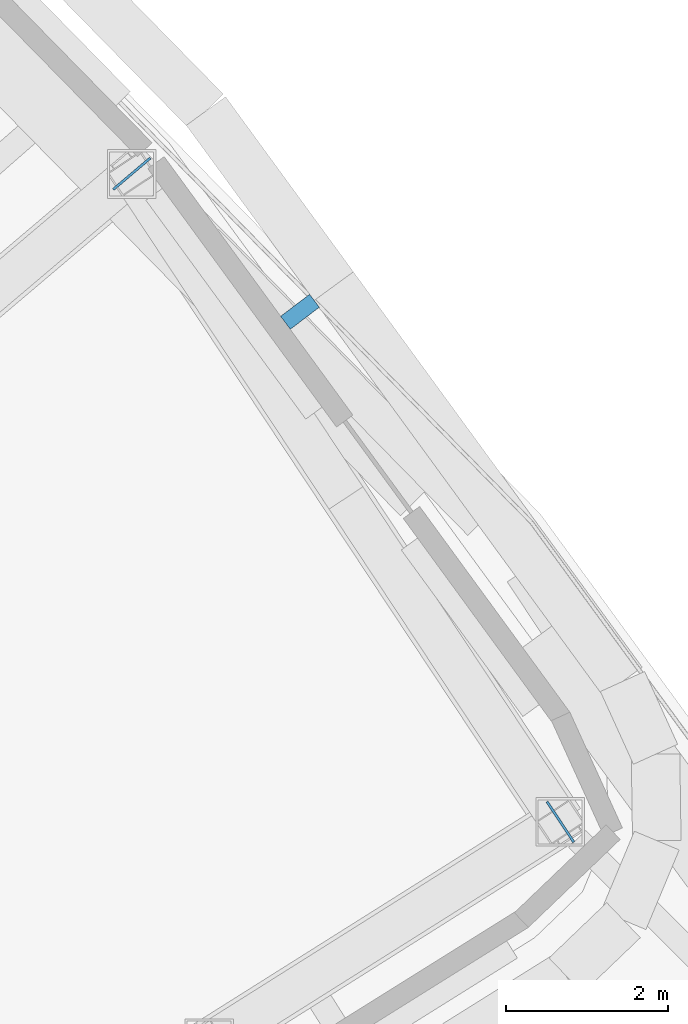
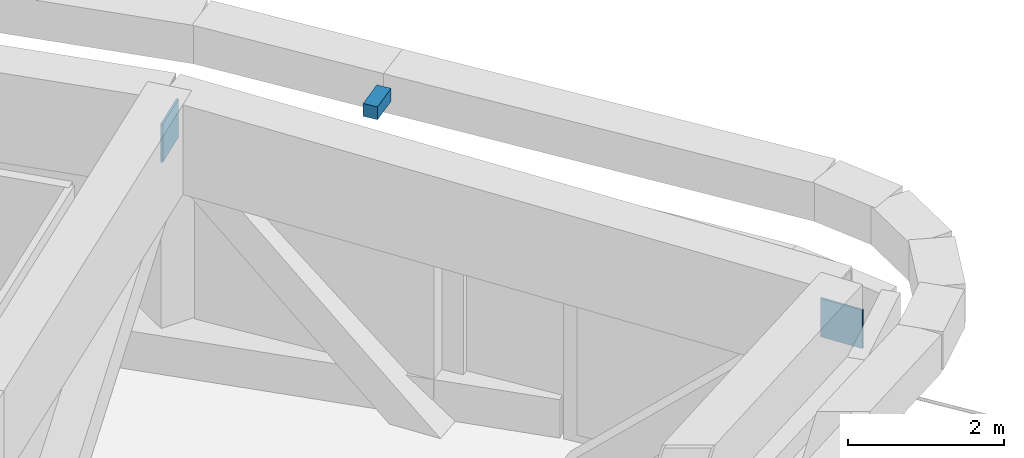
# One storey, part 17 of 24: 3 discrete accessories.
"""IFC4 building model written with IfcOpenShell, lengths in metres."""

from ifc_helpers import new_model, si_unit, direction, frame, origin, origin_2d, place, context, subcontext, project, spatial, rectangle, extrude, material, type_object, element, save


model = new_model("IFC4")

# Units and contexts
model_context = context("Model", 3, precision=1e-05, world=origin(), true_north=direction((0.0, 1.0)))
body_context = subcontext(model_context, "Body", "Model", "MODEL_VIEW")
ifc_project = project(units=[si_unit("LENGTHUNIT", "METRE"), si_unit("AREAUNIT", "SQUARE_METRE"), si_unit("VOLUMEUNIT", "CUBIC_METRE"), si_unit("PLANEANGLEUNIT", "RADIAN"), si_unit("MASSUNIT", "GRAM", prefix="KILO")], contexts=[model_context])

# Site, building, storey
site_placement = place(None, origin())
site = spatial("IfcSite", under=ifc_project, at=site_placement, CompositionType="ELEMENT")
building_placement = place(site_placement, origin())
building = spatial("IfcBuilding", under=site, at=building_placement, Name="Tuul Gate Civic Tower", CompositionType="ELEMENT")
storey_placement = place(building_placement, frame((0.0, 0.0, 315.199951171875)))
storey = spatial("IfcBuildingStorey", under=building, at=storey_placement, Name="Plant and refuge floor 7", CompositionType="ELEMENT", Elevation=315.199951171875)

# Discrete accessories
ifc_material_1 = material(Name="Steel S355", Category="steel")
discrete_accessory_type_1 = type_object("IfcDiscreteAccessoryType", Name="Gusset plate", PredefinedType="BRACKET", material=ifc_material_1)
for number, where, z_axis, x_axis, name in (
    (1, (58.564697265625, -12.28515625, 3.10302734375), (0.0, 0.0, 1.0), (-0.76282474496, -0.646605295738, 0.0), "Gusset plate"),
    (2, (63.865478515625, -20.300537109375, 3.103271484375), (0.0, 0.0, 1.0), (-0.551645433906, 0.834078722454, 0.0), "Gusset plate"),
):
    element("IfcDiscreteAccessory", number, at=place(storey_placement, frame(where, z_axis=z_axis, x_axis=x_axis)), inside=storey, type_object=discrete_accessory_type_1, Name=name, PredefinedType="BRACKET", context=body_context, shape_type="SweptSolid", body=[
        extrude(rectangle(XDim=0.60009765625, YDim=0.030029296875, at=origin_2d()), origin(), (0.0, 0.0, 1.0), 0.60009765625),
    ])
ifc_material_2 = material(Name="Stainless steel", Category="steel")
discrete_accessory_type_2 = type_object("IfcDiscreteAccessoryType", Name="Screen bracket", PredefinedType="BRACKET", material=ifc_material_2)
discrete_accessory_placement = place(storey_placement, frame((60.64453125, -13.9921875, 4.05029296875), z_axis=(0.0, 0.0, 1.0), x_axis=(0.796383218377, 0.604792335837, 0.0)))
element("IfcDiscreteAccessory", 3, at=discrete_accessory_placement, inside=storey, type_object=discrete_accessory_type_2, Name="Screen bracket 1", PredefinedType="BRACKET", context=body_context, shape_type="SweptSolid", body=[
    extrude(rectangle(XDim=0.4501953125, YDim=0.199951171875, at=origin_2d()), origin(), (0.0, 0.0, 1.0), 0.199951171875),
])

save(model, "model.ifc")
